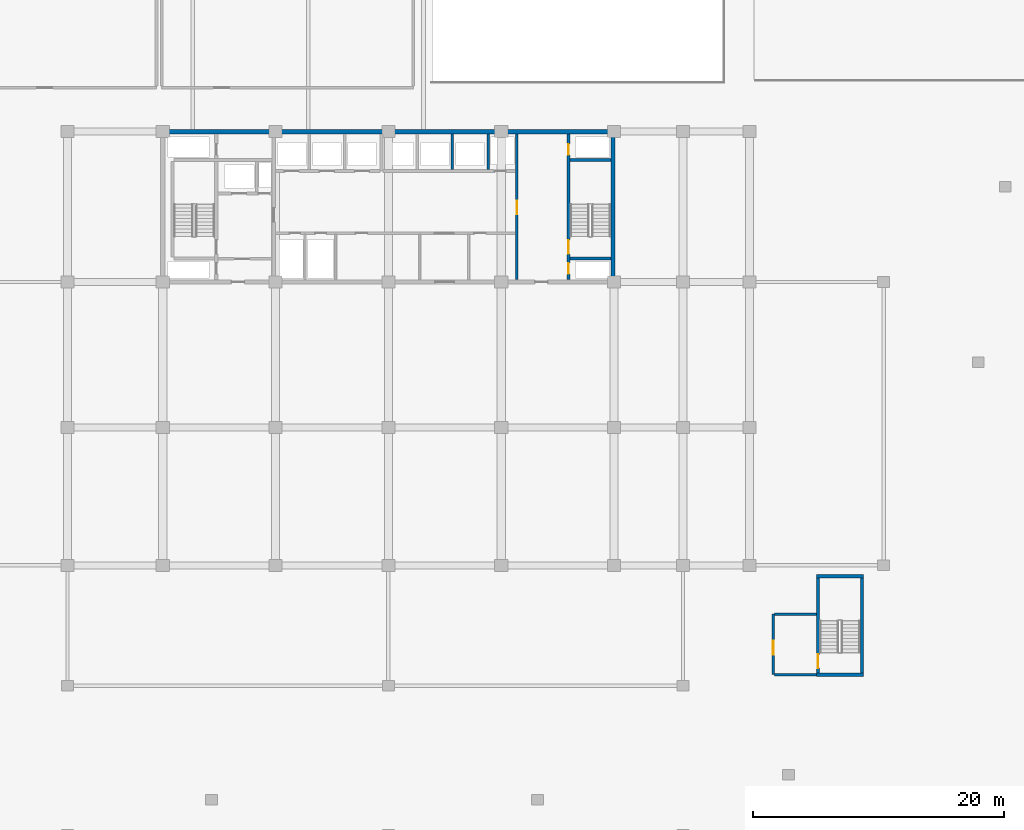
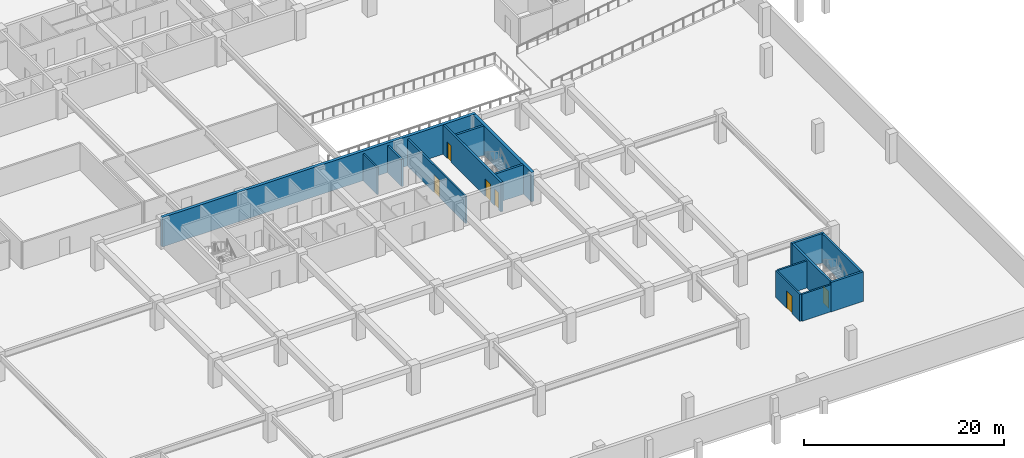
# One storey, part 7 of 23: 15 walls, 6 doors, 6 openings.
"""IFC4 building model written with IfcOpenShell, lengths in metres."""

import ifcopenshell
import ifcopenshell.guid

model = None  # the IFC model being written
_history = None  # IfcOwnerHistory: only IFC2X3 demands one
_inside = {}  # id of a spatial element -> (the spatial element, [elements in it])
_under = {}  # id of a project, library or spatial element -> (it, [spatial elements below it])
_declared = {}  # id of a project -> (the project, [libraries it declares])
_typed = {}  # id of a type object -> (the type object, [elements of that type])
_made_of = {}  # id of a material, layer set ... -> (it, [elements and type objects made of it])


def new_model(schema):
    """Start an empty IFC model of exactly this schema.

    Asked for "IFC4X3", IfcOpenShell would pick the latest addendum, in which some entities
    have other attributes; the version numbers below select the first issue.
    IFC2X3 requires an IfcOwnerHistory on every rooted entity: one is made here for all.
    """
    global model, _history
    if schema == "IFC4X3":
        model = ifcopenshell.file(schema_version=(4, 3, 0, 0))
    else:
        model = ifcopenshell.file(schema=schema)
    _inside.clear()
    _under.clear()
    _declared.clear()
    _typed.clear()
    _made_of.clear()
    _history = None
    if model.schema == "IFC2X3":
        org = make("IfcOrganization", Name="unknown")
        user = make(
            "IfcPersonAndOrganization",
            ThePerson=make("IfcPerson", FamilyName="unknown"),
            TheOrganization=org,
        )
        app = make(
            "IfcApplication",
            ApplicationDeveloper=org,
            Version="unknown",
            ApplicationFullName="unknown",
            ApplicationIdentifier="unknown",
        )
        _history = make(
            "IfcOwnerHistory",
            OwningUser=user,
            OwningApplication=app,
            ChangeAction="ADDED",
            CreationDate=0,
        )
    return model


def make(cls, **values):
    """One entity of the class cls with the attributes given. An attribute that is None is left unset."""
    return model.create_entity(
        cls, **{name: value for name, value in values.items() if value is not None}
    )


def rooted(cls, **values):
    """An entity with a GlobalId (a new one), such as an element, a storey or a relation."""
    return make(cls, GlobalId=ifcopenshell.guid.new(), OwnerHistory=_history, **values)


def si_unit(unit_type, name, prefix=None):
    """IfcSIUnit, for example si_unit("LENGTHUNIT", "METRE", prefix="MILLI")."""
    return make("IfcSIUnit", UnitType=unit_type, Prefix=prefix, Name=name)


def assignment(units):
    """IfcUnitAssignment: the units of a project."""
    return None if units is None else make("IfcUnitAssignment", Units=units)


def point(xyz):
    """IfcCartesianPoint."""
    return None if xyz is None else make("IfcCartesianPoint", Coordinates=xyz)


def direction(xyz):
    """IfcDirection."""
    return None if xyz is None else make("IfcDirection", DirectionRatios=xyz)


def frame(location, z_axis=None, x_axis=None):
    """IfcAxis2Placement3D, a coordinate frame: its origin and axes. An axis left out is left unset."""
    return make(
        "IfcAxis2Placement3D",
        Location=point(location),
        Axis=direction(z_axis),
        RefDirection=direction(x_axis),
    )


def frame_2d(location, x_axis=None):
    """IfcAxis2Placement2D, a coordinate frame in the plane: its origin and x axis."""
    return make(
        "IfcAxis2Placement2D", Location=point(location), RefDirection=direction(x_axis)
    )


def origin():
    """The frame at (0, 0, 0) with its axes left unset."""
    return frame((0.0, 0.0, 0.0))


def place(relative_to, where):
    """IfcLocalPlacement: puts the frame where relative to a parent placement (None: the world)."""
    return make(
        "IfcLocalPlacement", PlacementRelTo=relative_to, RelativePlacement=where
    )


def context(
    kind, dimensions, precision=None, world=None, true_north=None, identifier=None
):
    """IfcGeometricRepresentationContext, for example the 3D "Model" context."""
    return make(
        "IfcGeometricRepresentationContext",
        ContextIdentifier=identifier,
        ContextType=kind,
        CoordinateSpaceDimension=dimensions,
        Precision=precision,
        WorldCoordinateSystem=world,
        TrueNorth=true_north,
    )


def subcontext(parent, identifier, kind, view, scale=None):
    """IfcGeometricRepresentationSubContext, for example "Body" below "Model"."""
    return make(
        "IfcGeometricRepresentationSubContext",
        ContextIdentifier=identifier,
        ContextType=kind,
        ParentContext=parent,
        TargetScale=scale,
        TargetView=view,
    )


def project(units=None, contexts=None):
    """IfcProject with its units and contexts."""
    return rooted(
        "IfcProject",
        Name="project",
        RepresentationContexts=contexts,
        UnitsInContext=assignment(units),
    )


def spatial(cls, under=None, at=None, **own):
    """A site, building, storey or space (cls), placed at a placement, below another one or the project."""
    s = rooted(cls, ObjectPlacement=at, **own)
    if under is not None:
        _under.setdefault(under.id(), (under, []))[1].append(s)
    return s


def profile(cls, at=None, kind="AREA", **sizes):
    """A parametric profile (cls). Its sizes go by their IFC names, for example OverallWidth=200.0."""
    return make(cls, ProfileType=kind, Position=at, **sizes)


def rectangle(**sizes):
    """IfcRectangleProfileDef."""
    return profile("IfcRectangleProfileDef", **sizes)


def extrude(swept, where, along, depth):
    """IfcExtrudedAreaSolid: the profile swept, set in the frame where, extruded along a direction by depth."""
    return make(
        "IfcExtrudedAreaSolid",
        SweptArea=swept,
        Position=where,
        ExtrudedDirection=direction(along),
        Depth=depth,
    )


def shape(context_of_items, identifier, shape_type, items):
    """IfcShapeRepresentation: the items that make up one representation, for example the "Body"."""
    return make(
        "IfcShapeRepresentation",
        ContextOfItems=context_of_items,
        RepresentationIdentifier=identifier,
        RepresentationType=shape_type,
        Items=items,
    )


def material(Name=None, Category=None):
    """IfcMaterial."""
    return make("IfcMaterial", Name=Name, Category=Category)


def layer(
    of_material, thickness, ventilated=None, Name=None, Category=None, Priority=None
):
    """IfcMaterialLayer: one layer of a wall or slab, of a material (None: an air gap)."""
    return make(
        "IfcMaterialLayer",
        Material=of_material,
        LayerThickness=thickness,
        IsVentilated=ventilated,
        Name=Name,
        Category=Category,
        Priority=Priority,
    )


def layer_set(layers, Name=None):
    """IfcMaterialLayerSet."""
    return make("IfcMaterialLayerSet", MaterialLayers=layers, LayerSetName=Name)


def made_of(thing, what):
    """Note that an element or type object is made of a material, layer set ...; save() writes the relation."""
    if what is not None:
        _made_of.setdefault(what.id(), (what, []))[1].append(thing)
    return thing


def type_object(cls, material=None, **own):
    """A type object (cls), such as IfcWallType, which elements share."""
    return made_of(rooted(cls, **own), material)


def element(
    cls,
    number,
    at=None,
    inside=None,
    cuts=None,
    type_object=None,
    material=None,
    context=None,
    identifier="Body",
    shape_type=None,
    held_by="IfcProductDefinitionShape",
    body=None,
    shapes=None,
    **own,
):
    """One element of the class cls, such as IfcWall. Its Tag is "e" and its number.

    at: its placement. inside: the storey or other place that contains it. cuts: it is an
    opening in that element (IfcRelVoidsElement). A single representation is given by context,
    identifier, shape_type and body (its items); several are given by shapes. held_by: the class
    of the entity that holds the representations. save() writes the other relations.
    """
    e = rooted(cls, Tag="e%d" % number, ObjectPlacement=at, **own)
    if body is not None:
        shapes = [shape(context, identifier, shape_type, body)]
    if shapes is not None:
        e.Representation = make(held_by, Representations=shapes)
    if inside is not None:
        _inside.setdefault(inside.id(), (inside, []))[1].append(e)
    if cuts is not None:
        rooted(
            "IfcRelVoidsElement", RelatingBuildingElement=cuts, RelatedOpeningElement=e
        )
    if type_object is not None:
        _typed.setdefault(type_object.id(), (type_object, []))[1].append(e)
    return made_of(e, material)


def fill(opening, filler):
    """IfcRelFillsElement: the door or window that sits in an opening."""
    return rooted(
        "IfcRelFillsElement",
        RelatingOpeningElement=opening,
        RelatedBuildingElement=filler,
    )


def aggregate(whole, parts):
    """IfcRelAggregates: a whole, such as a stair, and the parts it consists of."""
    return rooted("IfcRelAggregates", RelatingObject=whole, RelatedObjects=parts)


def save(model, path):
    """Write the relations noted so far, then the file.

    IfcRelAggregates (storeys below a building ...), IfcRelContainedInSpatialStructure (elements
    in a storey), IfcRelDefinesByType, IfcRelAssociatesMaterial and IfcRelDeclares: one each for
    every whole, place, type object, material and project.
    """
    for whole, parts in _under.values():
        aggregate(whole, parts)
    for where, things in _inside.values():
        rooted(
            "IfcRelContainedInSpatialStructure",
            RelatedElements=things,
            RelatingStructure=where,
        )
    for kind, things in _typed.values():
        rooted("IfcRelDefinesByType", RelatedObjects=things, RelatingType=kind)
    for what, things in _made_of.values():
        rooted("IfcRelAssociatesMaterial", RelatedObjects=things, RelatingMaterial=what)
    for by, libraries in _declared.values():
        rooted("IfcRelDeclares", RelatingContext=by, RelatedDefinitions=libraries)
    model.write(path)


model = new_model("IFC4")

# Units and contexts
model_context = context("Model", 3, precision=1e-05, world=origin(), true_north=direction((0.0, 1.0)))
body_context = subcontext(model_context, "Body", "Model", "MODEL_VIEW")
ifc_project = project(units=[si_unit("LENGTHUNIT", "METRE"), si_unit("AREAUNIT", "SQUARE_METRE"), si_unit("VOLUMEUNIT", "CUBIC_METRE"), si_unit("PLANEANGLEUNIT", "RADIAN"), si_unit("MASSUNIT", "GRAM", prefix="KILO")], contexts=[model_context])

# Site, building, storey
site_placement = place(None, origin())
site = spatial("IfcSite", under=ifc_project, at=site_placement, CompositionType="ELEMENT")
building_placement = place(site_placement, origin())
building = spatial("IfcBuilding", under=site, at=building_placement, Name="Korimba Cascade Residences", CompositionType="ELEMENT")
storey_placement = place(building_placement, frame((0.0, 0.0, -3.60009765625)))
storey = spatial("IfcBuildingStorey", under=building, at=storey_placement, Name="B01", CompositionType="ELEMENT", Elevation=-3.60009765625)

# Walls
ifc_material_1 = material(Name="Concrete C65/80", Category="concrete")
ifc_layer_1 = layer(ifc_material_1, 0.35009765625)
ifc_layer_set_1 = layer_set([ifc_layer_1], Name="Concrete C65/80")
wall_type_1 = type_object("IfcWallType", Name="WAL-CORE-350", PredefinedType="SHEAR", material=ifc_layer_set_1)
wall_1_placement = place(storey_placement, frame((81.925048828125, 30.39990234375, 0.0), z_axis=(0.0, 0.0, 1.0), x_axis=(1.0, 0.0, 0.0)))
element("IfcWall", 1, at=wall_1_placement, inside=storey, type_object=wall_type_1, Name="B01 Core Shear Wall CW-B01-T2-N", PredefinedType="SHEAR", context=body_context, shape_type="SweptSolid", body=[
    extrude(rectangle(XDim=36.264892578125, YDim=0.35009765625, at=frame_2d((18.13232421875, 0.0))), origin(), (0.0, 0.0, 1.0), 3.60009765625),
])
wall_2_placement = place(storey_placement, frame((118.014892578125, 18.574951171875, 0.0), z_axis=(0.0, 0.0, 1.0), x_axis=(0.0, 1.0, 0.0)))
element("IfcWall", 2, at=wall_2_placement, inside=storey, type_object=wall_type_1, Name="B01 Core Shear Wall CW-B01-T2-E", PredefinedType="SHEAR", context=body_context, shape_type="SweptSolid", body=[
    extrude(rectangle(XDim=11.650146484375, YDim=0.35009765625, at=frame_2d((5.8251953125, 0.0))), origin(), (0.0, 0.0, 1.0), 3.60009765625),
])
ifc_material_2 = material(Name="Concrete C40/50", Category="concrete")
ifc_layer_2 = layer(ifc_material_2, 0.199951171875)
ifc_layer_set_2 = layer_set([ifc_layer_2], Name="Concrete C40/50")
wall_type_2 = type_object("IfcWallType", Name="WAL-PART-200", PredefinedType="PARTITIONING", material=ifc_layer_set_2)
for number, where, z_axis, x_axis, name in (
    (3, (105.199951171875, 27.3798828125, 0.0), (0.0, 0.0, 1.0), (0.0, 1.0, 0.0), "B01 Partition Wall CW-B01-T2-B2D2"),
    (4, (108.050048828125, 27.3798828125, 0.0), (0.0, 0.0, 1.0), (0.0, 1.0, 0.0), "B01 Partition Wall CW-B01-T2-B2D3"),
):
    element("IfcWall", number, at=place(storey_placement, frame(where, z_axis=z_axis, x_axis=x_axis)), inside=storey, type_object=wall_type_2, Name=name, PredefinedType="PARTITIONING", context=body_context, shape_type="SweptSolid", body=[
        extrude(rectangle(XDim=2.820068359375, YDim=0.199951171875, at=frame_2d((1.41015625, 0.0))), origin(), (0.0, 0.0, 1.0), 3.300048828125),
    ])

# Wall, opening, door
wall_3_placement = place(storey_placement, frame((110.35009765625, 18.60009765625, 0.0), z_axis=(0.0, 0.0, 1.0), x_axis=(0.0, 1.0, 0.0)))
wall_3 = element("IfcWall", 5, at=wall_3_placement, inside=storey, type_object=wall_type_2, Name="B01 Partition Wall CW-B01-T2-LLEV", PredefinedType="PARTITIONING", context=body_context, shape_type="SweptSolid", body=[
    extrude(rectangle(XDim=11.599853515625, YDim=0.199951171875, at=frame_2d((5.7998046875, 0.0))), origin(), (0.0, 0.0, 1.0), 3.300048828125),
])
opening_1_placement = place(wall_3_placement, frame((5.199951171875, 0.0, 0.0)))
opening_1 = element("IfcOpeningElement", 6, at=opening_1_placement, cuts=wall_3, Name="Opening D-FD6", PredefinedType="OPENING", context=body_context, shape_type="SweptSolid", body=[
    extrude(rectangle(XDim=1.10009765625, YDim=2.14990234375, at=frame_2d((0.550048828125, 1.074951171875))), frame((0.0, 0.10986328125, 0.0), z_axis=(0.0, -1.0, 0.0), x_axis=(1.0, 0.0, 0.0)), (0.0, 0.0, 1.0), 0.219970703125),
])
ifc_material_3 = material(Name="Fire-Rated Timber Stair Lobby Door", Category="wood")
door_type_1 = type_object("IfcDoorType", Name="DR-FD90-1100", OperationType="NOTDEFINED", PredefinedType="DOOR", material=ifc_material_3)
door_1_placement = place(opening_1_placement, origin())
door_1 = element("IfcDoor", 7, at=door_1_placement, inside=storey, type_object=door_type_1, Name="B01 T2 Lift Lobby to East Stair Lobby Door", OperationType="SINGLE_SWING_RIGHT", OverallHeight=2.14990234375, OverallWidth=1.10009765625, PredefinedType="DOOR", context=body_context, shape_type="SweptSolid", body=[
    extrude(rectangle(XDim=1.10009765625, YDim=2.14990234375, at=frame_2d((0.550048828125, 1.074951171875))), frame((0.0, 0.02490234375, 0.0), z_axis=(0.0, -1.0, 0.0), x_axis=(1.0, 0.0, 0.0)), (0.0, 0.0, 1.0), 0.050048828125),
])
fill(opening_1, door_1)

wall_4_placement = place(storey_placement, frame((130.800048828125, -12.925048828125, 0.0), z_axis=(0.0, 0.0, 1.0), x_axis=(0.0, 1.0, 0.0)))
wall_4 = element("IfcWall", 8, at=wall_4_placement, inside=storey, type_object=wall_type_2, Name="B01 Partition Wall CW-B01-PL6W", PredefinedType="PARTITIONING", context=body_context, shape_type="SweptSolid", body=[
    extrude(rectangle(XDim=4.824951171875, YDim=0.199951171875, at=frame_2d((2.41259765625, 0.0))), origin(), (0.0, 0.0, 1.0), 3.300048828125),
])
opening_2_placement = place(wall_4_placement, frame((1.60009765625, 0.0, 0.0)))
opening_2 = element("IfcOpeningElement", 9, at=opening_2_placement, cuts=wall_4, Name="Opening D-FD6", PredefinedType="OPENING", context=body_context, shape_type="SweptSolid", body=[
    extrude(rectangle(XDim=1.10009765625, YDim=2.14990234375, at=frame_2d((0.550048828125, 1.074951171875))), frame((0.0, 0.10986328125, 0.0), z_axis=(0.0, -1.0, 0.0), x_axis=(1.0, 0.0, 0.0)), (0.0, 0.0, 1.0), 0.219970703125),
])
door_2_placement = place(opening_2_placement, origin())
door_2 = element("IfcDoor", 10, at=door_2_placement, inside=storey, type_object=door_type_1, Name="B01 South-East Stair Vestibule Door", OperationType="SINGLE_SWING_LEFT", OverallHeight=2.14990234375, OverallWidth=1.10009765625, PredefinedType="DOOR", context=body_context, shape_type="SweptSolid", body=[
    extrude(rectangle(XDim=1.10009765625, YDim=2.14990234375, at=frame_2d((0.550048828125, 1.074951171875))), frame((0.0, 0.02490234375, 0.0), z_axis=(0.0, -1.0, 0.0), x_axis=(1.0, 0.0, 0.0)), (0.0, 0.0, 1.0), 0.050048828125),
])
fill(opening_2, door_2)

# Walls
for number, where, z_axis, x_axis, name in (
    (11, (130.89990234375, -12.925048828125, 0.0), (0.0, 0.0, 1.0), (1.0, 0.0, 0.0), "B01 Partition Wall CW-B01-PL6S"),
    (12, (130.89990234375, -8.10009765625, 0.0), (0.0, 0.0, 1.0), (1.0, 0.0, 0.0), "B01 Partition Wall CW-B01-PL6N"),
):
    element("IfcWall", number, at=place(storey_placement, frame(where, z_axis=z_axis, x_axis=x_axis)), inside=storey, type_object=wall_type_2, Name=name, PredefinedType="PARTITIONING", context=body_context, shape_type="SweptSolid", body=[
        extrude(rectangle(XDim=3.35009765625, YDim=0.199951171875, at=frame_2d((1.675048828125, 0.0))), origin(), (0.0, 0.0, 1.0), 3.300048828125),
    ])

# Wall, openings, doors
ifc_material_4 = material(Name="Concrete C50/60", Category="concrete")
ifc_layer_3 = layer(ifc_material_4, 0.25)
ifc_layer_set_3 = layer_set([ifc_layer_3], Name="Concrete C50/60")
wall_type_3 = type_object("IfcWallType", Name="WAL-SHAFT-250", PredefinedType="SHEAR", material=ifc_layer_set_3)
wall_5_placement = place(storey_placement, frame((114.47509765625, 18.60009765625, 0.0), z_axis=(0.0, 0.0, 1.0), x_axis=(0.0, 1.0, 0.0)))
wall_5 = element("IfcWall", 13, at=wall_5_placement, inside=storey, type_object=wall_type_3, Name="B01 Core Shear Wall CW-B01-T2-STE2W", PredefinedType="SHEAR", context=body_context, shape_type="SweptSolid", body=[
    extrude(rectangle(XDim=11.599853515625, YDim=0.25, at=frame_2d((5.7998046875, 0.0))), origin(), (0.0, 0.0, 1.0), 3.60009765625),
])
opening_3_placement = place(wall_5_placement, frame((0.449951171875, 0.0, 0.0)))
opening_3 = element("IfcOpeningElement", 14, at=opening_3_placement, cuts=wall_5, Name="Opening D-RS1", PredefinedType="OPENING", context=body_context, shape_type="SweptSolid", body=[
    extrude(rectangle(XDim=0.85009765625, YDim=2.050048828125, at=frame_2d((0.425048828125, 1.02490234375))), frame((0.0, 0.135009765625, 0.0), z_axis=(0.0, -1.0, 0.0), x_axis=(1.0, 0.0, 0.0)), (0.0, 0.0, 1.0), 0.27001953125),
])
opening_4_placement = place(wall_5_placement, frame((2.050048828125, 0.0, 0.0)))
opening_4 = element("IfcOpeningElement", 15, at=opening_4_placement, cuts=wall_5, Name="Opening D-FD1", PredefinedType="OPENING", context=body_context, shape_type="SweptSolid", body=[
    extrude(rectangle(XDim=1.10009765625, YDim=2.10009765625, at=frame_2d((0.550048828125, 1.050048828125))), frame((0.0, 0.135009765625, 0.0), z_axis=(0.0, -1.0, 0.0), x_axis=(1.0, 0.0, 0.0)), (0.0, 0.0, 1.0), 0.27001953125),
])
opening_5_placement = place(wall_5_placement, frame((9.949951171875, 0.0, 0.0)))
opening_5 = element("IfcOpeningElement", 16, at=opening_5_placement, cuts=wall_5, Name="Opening D-RS1", PredefinedType="OPENING", context=body_context, shape_type="SweptSolid", body=[
    extrude(rectangle(XDim=0.85009765625, YDim=2.050048828125, at=frame_2d((0.425048828125, 1.02490234375))), frame((0.0, 0.135009765625, 0.0), z_axis=(0.0, -1.0, 0.0), x_axis=(1.0, 0.0, 0.0)), (0.0, 0.0, 1.0), 0.27001953125),
])
ifc_material_5 = material(Name="Fire-Rated Steel Core Door", Category="steel")
door_type_2 = type_object("IfcDoorType", Name="DR-FD120-1100", OperationType="NOTDEFINED", PredefinedType="DOOR", material=ifc_material_5)
door_3_placement = place(opening_4_placement, origin())
door_3 = element("IfcDoor", 17, at=door_3_placement, inside=storey, type_object=door_type_2, Name="B01 Fire Stair ST-E2 Door", OperationType="SINGLE_SWING_RIGHT", OverallHeight=2.10009765625, OverallWidth=1.10009765625, PredefinedType="DOOR", context=body_context, shape_type="SweptSolid", body=[
    extrude(rectangle(XDim=1.10009765625, YDim=2.10009765625, at=frame_2d((0.550048828125, 1.050048828125))), frame((0.0, 0.02490234375, 0.0), z_axis=(0.0, -1.0, 0.0), x_axis=(1.0, 0.0, 0.0)), (0.0, 0.0, 1.0), 0.050048828125),
])
fill(opening_4, door_3)
ifc_material_6 = material(Name="Fire-Rated Steel Riser Access Door", Category="steel")
door_type_3 = type_object("IfcDoorType", Name="DR-FD60-850", OperationType="NOTDEFINED", PredefinedType="DOOR", material=ifc_material_6)
door_4_placement = place(opening_3_placement, origin())
door_4 = element("IfcDoor", 18, at=door_4_placement, inside=storey, type_object=door_type_3, Name="B01 T2 East Hydrant Door", OperationType="SINGLE_SWING_LEFT", OverallHeight=2.050048828125, OverallWidth=0.85009765625, PredefinedType="DOOR", context=body_context, shape_type="SweptSolid", body=[
    extrude(rectangle(XDim=0.85009765625, YDim=2.050048828125, at=frame_2d((0.425048828125, 1.02490234375))), frame((0.0, 0.02490234375, 0.0), z_axis=(0.0, -1.0, 0.0), x_axis=(1.0, 0.0, 0.0)), (0.0, 0.0, 1.0), 0.050048828125),
])
fill(opening_3, door_4)
door_5_placement = place(opening_5_placement, origin())
door_5 = element("IfcDoor", 19, at=door_5_placement, inside=storey, type_object=door_type_3, Name="B01 T2 East Riser Door", OperationType="SINGLE_SWING_LEFT", OverallHeight=2.050048828125, OverallWidth=0.85009765625, PredefinedType="DOOR", context=body_context, shape_type="SweptSolid", body=[
    extrude(rectangle(XDim=0.85009765625, YDim=2.050048828125, at=frame_2d((0.425048828125, 1.02490234375))), frame((0.0, 0.02490234375, 0.0), z_axis=(0.0, -1.0, 0.0), x_axis=(1.0, 0.0, 0.0)), (0.0, 0.0, 1.0), 0.050048828125),
])
fill(opening_5, door_5)

# Walls
for number, where, z_axis, x_axis, name in (
    (20, (114.60009765625, 20.27490234375, 0.0), (0.0, 0.0, 1.0), (1.0, 0.0, 0.0), "B01 Core Shear Wall CW-B01-T2-STE2S"),
    (21, (114.60009765625, 28.125, 0.0), (0.0, 0.0, 1.0), (1.0, 0.0, 0.0), "B01 Core Shear Wall CW-B01-T2-STE2N"),
):
    element("IfcWall", number, at=place(storey_placement, frame(where, z_axis=z_axis, x_axis=x_axis)), inside=storey, type_object=wall_type_3, Name=name, PredefinedType="SHEAR", context=body_context, shape_type="SweptSolid", body=[
        extrude(rectangle(XDim=3.239990234375, YDim=0.25, at=frame_2d((1.6201171875, 0.0))), origin(), (0.0, 0.0, 1.0), 3.60009765625),
    ])

# Wall, opening, door
wall_6_placement = place(storey_placement, frame((134.375, -12.800048828125, 0.0), z_axis=(0.0, 0.0, 1.0), x_axis=(0.0, 1.0, 0.0)))
wall_6 = element("IfcWall", 22, at=wall_6_placement, inside=storey, type_object=wall_type_3, Name="B01 Core Shear Wall CW-B01-STP6W", PredefinedType="SHEAR", context=body_context, shape_type="SweptSolid", body=[
    extrude(rectangle(XDim=7.60009765625, YDim=0.25, at=frame_2d((3.800048828125, 0.0))), origin(), (0.0, 0.0, 1.0), 3.60009765625),
])
opening_6_placement = place(wall_6_placement, frame((0.39990234375, 0.0, 0.0)))
opening_6 = element("IfcOpeningElement", 23, at=opening_6_placement, cuts=wall_6, Name="Opening D-FD1", PredefinedType="OPENING", context=body_context, shape_type="SweptSolid", body=[
    extrude(rectangle(XDim=1.10009765625, YDim=2.10009765625, at=frame_2d((0.550048828125, 1.050048828125))), frame((0.0, 0.135009765625, 0.0), z_axis=(0.0, -1.0, 0.0), x_axis=(1.0, 0.0, 0.0)), (0.0, 0.0, 1.0), 0.27001953125),
])
door_6_placement = place(opening_6_placement, origin())
door_6 = element("IfcDoor", 24, at=door_6_placement, inside=storey, type_object=door_type_2, Name="B01 Podium Stair ST-P6 Door", OperationType="SINGLE_SWING_RIGHT", OverallHeight=2.10009765625, OverallWidth=1.10009765625, PredefinedType="DOOR", context=body_context, shape_type="SweptSolid", body=[
    extrude(rectangle(XDim=1.10009765625, YDim=2.10009765625, at=frame_2d((0.550048828125, 1.050048828125))), frame((0.0, 0.02490234375, 0.0), z_axis=(0.0, -1.0, 0.0), x_axis=(1.0, 0.0, 0.0)), (0.0, 0.0, 1.0), 0.050048828125),
])
fill(opening_6, door_6)

# Walls
wall_7_placement = place(storey_placement, frame((137.864990234375, -12.800048828125, 0.0), z_axis=(0.0, 0.0, 1.0), x_axis=(0.0, 1.0, 0.0)))
element("IfcWall", 25, at=wall_7_placement, inside=storey, type_object=wall_type_3, Name="B01 Core Shear Wall CW-B01-STP6E", PredefinedType="SHEAR", context=body_context, shape_type="SweptSolid", body=[
    extrude(rectangle(XDim=7.60009765625, YDim=0.25, at=frame_2d((3.800048828125, 0.0))), origin(), (0.0, 0.0, 1.0), 3.60009765625),
])
for number, where, z_axis, x_axis, name in (
    (26, (134.25, -12.925048828125, 0.0), (0.0, 0.0, 1.0), (1.0, 0.0, 0.0), "B01 Core Shear Wall CW-B01-STP6S"),
    (27, (134.25, -5.074951171875, 0.0), (0.0, 0.0, 1.0), (1.0, 0.0, 0.0), "B01 Core Shear Wall CW-B01-STP6N"),
):
    element("IfcWall", number, at=place(storey_placement, frame(where, z_axis=z_axis, x_axis=x_axis)), inside=storey, type_object=wall_type_3, Name=name, PredefinedType="SHEAR", context=body_context, shape_type="SweptSolid", body=[
        extrude(rectangle(XDim=3.739990234375, YDim=0.25, at=frame_2d((1.8701171875, 0.0))), origin(), (0.0, 0.0, 1.0), 3.60009765625),
    ])

save(model, "model.ifc")
